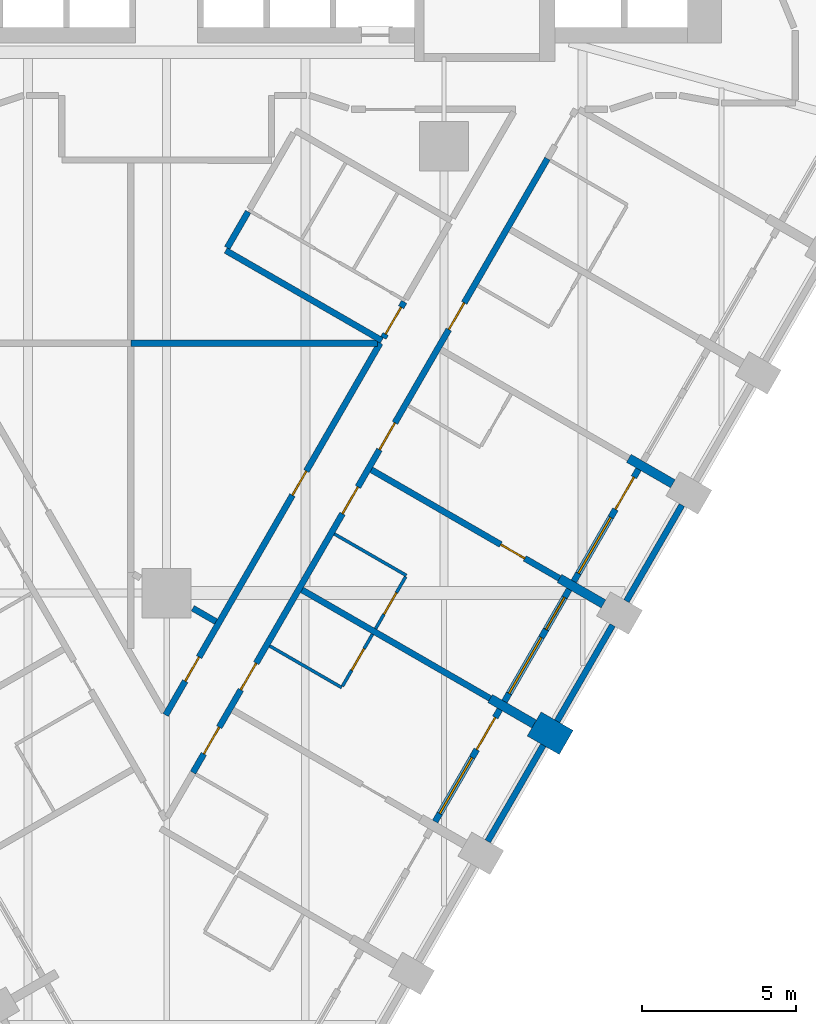
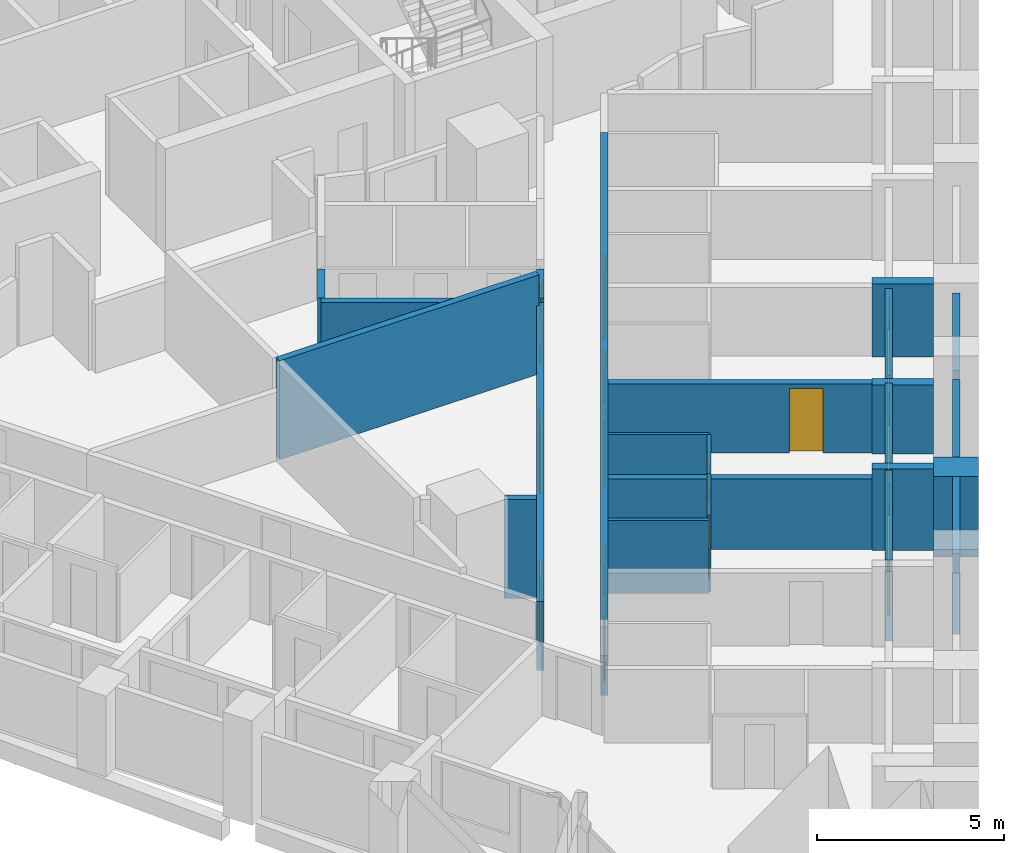
# One storey, part 5 of 12: 23 walls, 14 doors, 3 windows, 17 openings.
"""IFC4 building model written with IfcOpenShell, lengths in metres."""

from ifc_helpers import new_model, si_unit, direction, frame, frame_2d, origin, place, context, subcontext, project, spatial, rectangle, extrude, material, layer, layer_set, type_object, element, fill, save


model = new_model("IFC4")

# Units and contexts
model_context = context("Model", 3, precision=1e-05, world=origin(), true_north=direction((0.0, 1.0)))
body_context = subcontext(model_context, "Body", "Model", "MODEL_VIEW")
ifc_project = project(units=[si_unit("LENGTHUNIT", "METRE"), si_unit("AREAUNIT", "SQUARE_METRE"), si_unit("VOLUMEUNIT", "CUBIC_METRE"), si_unit("PLANEANGLEUNIT", "RADIAN"), si_unit("MASSUNIT", "GRAM", prefix="KILO")], contexts=[model_context])

# Site, building, storey
site_placement = place(None, origin())
site = spatial("IfcSite", under=ifc_project, at=site_placement, CompositionType="ELEMENT")
building_placement = place(site_placement, origin())
building = spatial("IfcBuilding", under=site, at=building_placement, Name="Calabash Gate Tower", CompositionType="ELEMENT")
storey_placement = place(building_placement, frame((0.0, 0.0, 80.0)))
storey = spatial("IfcBuildingStorey", under=building, at=storey_placement, Name="L16", CompositionType="ELEMENT", Elevation=80.0)

# Walls
ifc_material_1 = material(Name="Terracotta brick masonry, exposed face", Category="masonry")
ifc_layer_1 = layer(ifc_material_1, 1.199951171875)
ifc_layer_set_1 = layer_set([ifc_layer_1], Name="Brick end wall 1200")
wall_type_1 = type_object("IfcWallType", Name="Brick end wall 1200", PredefinedType="SOLIDWALL", material=ifc_layer_set_1)
wall_1_placement = place(storey_placement, frame((11.927978515625, -16.245361328125, 0.0), z_axis=(0.0, 0.0, 1.0), x_axis=(0.865955154139, -0.50012165622, 0.0)))
element("IfcWall", 1, at=wall_1_placement, inside=storey, type_object=wall_type_1, Name="Brick pier S04 SE2.3", PredefinedType="SOLIDWALL", context=body_context, shape_type="SweptSolid", body=[
    extrude(rectangle(XDim=1.199951171875, YDim=0.89990234375, at=frame_2d((0.60009765625, 0.0))), origin(), (0.0, 0.0, 1.0), 2.6298828125),
])
ifc_material_2 = material(Name="Terracotta brick masonry, exposed face", Category="masonry")
ifc_layer_2 = layer(ifc_material_2, 0.300048828125)
ifc_layer_set_2 = layer_set([ifc_layer_2], Name="Brick loggia cheek wall 300")
wall_type_2 = type_object("IfcWallType", Name="Brick loggia cheek wall 300", PredefinedType="SOLIDWALL", material=ifc_layer_set_2)
wall_2_placement = place(storey_placement, frame((10.4990234375, -15.42041015625, 0.0), z_axis=(0.0, 0.0, 1.0), x_axis=(0.866040211805, -0.499974350878, 0.0)))
element("IfcWall", 2, at=wall_2_placement, inside=storey, type_object=wall_type_2, Name="Loggia cheek S04 SE2.3", PredefinedType="SOLIDWALL", context=body_context, shape_type="SweptSolid", body=[
    extrude(rectangle(XDim=1.64990234375, YDim=0.300048828125, at=frame_2d((0.824951171875, 0.0))), origin(), (0.0, 0.0, 1.0), 2.64990234375),
])
wall_3_placement = place(storey_placement, frame((12.7490234375, -11.5234375, 0.0), z_axis=(0.0, 0.0, 1.0), x_axis=(0.865993292597, -0.500055614084, 0.0)))
element("IfcWall", 3, at=wall_3_placement, inside=storey, type_object=wall_type_2, Name="Loggia cheek S04 SE2.4", PredefinedType="SOLIDWALL", context=body_context, shape_type="SweptSolid", body=[
    extrude(rectangle(XDim=1.649169921875, YDim=0.300048828125, at=frame_2d((0.82470703125, 0.0))), origin(), (0.0, 0.0, 1.0), 2.24169921875),
])
wall_4_placement = place(storey_placement, frame((16.427978515625, -8.451171875, 0.0), z_axis=(0.0, 0.0, 1.0), x_axis=(-0.866040211805, 0.499974350878, 0.0)))
element("IfcWall", 4, at=wall_4_placement, inside=storey, type_object=wall_type_2, Name="Loggia cheek S04 SE2.5", PredefinedType="SOLIDWALL", context=body_context, shape_type="SweptSolid", body=[
    extrude(rectangle(XDim=1.64990234375, YDim=0.300048828125, at=frame_2d((0.824951171875, 0.0))), origin(), (0.0, 0.0, 1.0), 2.384033203125),
])

# Wall, opening, door
ifc_material_3 = material(Name="Gypsum board on steel studs, mineral wool", Category="steel")
ifc_layer_3 = layer(ifc_material_3, 0.10009765625)
ifc_layer_set_3 = layer_set([ifc_layer_3], Name="Partition 100 gypsum board")
wall_type_3 = type_object("IfcWallType", Name="Partition 100 gypsum board", PredefinedType="PARTITIONING", material=ifc_layer_set_3)
wall_5_placement = place(storey_placement, frame((5.706787109375, -15.020751953125, 0.0), z_axis=(0.0, 0.0, 1.0), x_axis=(0.49995005938, 0.866054235095, 0.0)))
wall_5 = element("IfcWall", 5, at=wall_5_placement, inside=storey, type_object=wall_type_3, Name="Partition", PredefinedType="PARTITIONING", context=body_context, shape_type="SweptSolid", body=[
    extrude(rectangle(XDim=1.949951171875, YDim=0.10009765625, at=frame_2d((0.97509765625, 0.0))), origin(), (0.0, 0.0, 1.0), 2.4736328125),
])
opening_1_placement = place(wall_5_placement, frame((0.60009765625, 0.0, 0.0)))
opening_1 = element("IfcOpeningElement", 6, at=opening_1_placement, cuts=wall_5, Name="Opening 15-17-016", PredefinedType="OPENING", context=body_context, shape_type="SweptSolid", body=[
    extrude(rectangle(XDim=0.800048828125, YDim=2.10009765625, at=frame_2d((0.39990234375, 1.050048828125))), frame((0.0, 0.06005859375, 0.0), z_axis=(0.0, -1.0, 0.0), x_axis=(1.0, 0.0, 0.0)), (0.0, 0.0, 1.0), 0.1201171875),
])
ifc_material_4 = material(Name="Painted timber door", Category="wood")
door_type_1 = type_object("IfcDoorType", Name="GD5 En-suite door 800x2100", OperationType="NOTDEFINED", PredefinedType="DOOR", material=ifc_material_4)
door_1_placement = place(opening_1_placement, origin())
door_1 = element("IfcDoor", 7, at=door_1_placement, inside=storey, type_object=door_type_1, Name="En-suite door", OperationType="SINGLE_SWING_RIGHT", OverallHeight=2.10009765625, OverallWidth=0.800048828125, PredefinedType="DOOR", context=body_context, shape_type="SweptSolid", body=[
    extrude(rectangle(XDim=0.800048828125, YDim=2.10009765625, at=frame_2d((0.39990234375, 1.050048828125))), frame((0.0, 0.02490234375, 0.0), z_axis=(0.0, -1.0, 0.0), x_axis=(1.0, 0.0, 0.0)), (0.0, 0.0, 1.0), 0.050048828125),
])
fill(opening_1, door_1)

# Wall
wall_6_placement = place(storey_placement, frame((3.344482421875, -13.712890625, 0.0), z_axis=(0.0, 0.0, 1.0), x_axis=(0.86571095196, -0.500544251447, 0.0)))
element("IfcWall", 8, at=wall_6_placement, inside=storey, type_object=wall_type_3, Name="Partition", PredefinedType="PARTITIONING", context=body_context, shape_type="SweptSolid", body=[
    extrude(rectangle(XDim=2.69970703125, YDim=0.10009765625, at=frame_2d((1.349853515625, 0.0))), origin(), (0.0, 0.0, 1.0), 2.384033203125),
])

# Wall, opening, door
wall_7_placement = place(storey_placement, frame((6.780517578125, -13.157958984375, 0.0), z_axis=(0.0, 0.0, 1.0), x_axis=(0.50063639091, 0.865657671425, 0.0)))
wall_7 = element("IfcWall", 9, at=wall_7_placement, inside=storey, type_object=wall_type_3, Name="Partition", PredefinedType="PARTITIONING", context=body_context, shape_type="SweptSolid", body=[
    extrude(rectangle(XDim=1.94970703125, YDim=0.10009765625, at=frame_2d((0.974853515625, 0.0))), origin(), (0.0, 0.0, 1.0), 2.24169921875),
])
opening_2_placement = place(wall_7_placement, frame((0.5498046875, 0.0, 0.0)))
opening_2 = element("IfcOpeningElement", 10, at=opening_2_placement, cuts=wall_7, Name="Opening 15-17-019", PredefinedType="OPENING", context=body_context, shape_type="SweptSolid", body=[
    extrude(rectangle(XDim=0.800048828125, YDim=2.10009765625, at=frame_2d((0.39990234375, 1.050048828125))), frame((0.0, 0.06005859375, 0.0), z_axis=(0.0, -1.0, 0.0), x_axis=(1.0, 0.0, 0.0)), (0.0, 0.0, 1.0), 0.1201171875),
])
door_2_placement = place(opening_2_placement, origin())
door_2 = element("IfcDoor", 11, at=door_2_placement, inside=storey, type_object=door_type_1, Name="En-suite door", OperationType="SINGLE_SWING_LEFT", OverallHeight=2.10009765625, OverallWidth=0.800048828125, PredefinedType="DOOR", context=body_context, shape_type="SweptSolid", body=[
    extrude(rectangle(XDim=0.800048828125, YDim=2.10009765625, at=frame_2d((0.39990234375, 1.050048828125))), frame((0.0, 0.02490234375, 0.0), z_axis=(0.0, -1.0, 0.0), x_axis=(1.0, 0.0, 0.0)), (0.0, 0.0, 1.0), 0.050048828125),
])
fill(opening_2, door_2)

# Wall
wall_8_placement = place(storey_placement, frame((5.44287109375, -10.078369140625, 0.0), z_axis=(0.0, 0.0, 1.0), x_axis=(0.866339109022, -0.499456252518, 0.0)))
element("IfcWall", 12, at=wall_8_placement, inside=storey, type_object=wall_type_3, Name="Partition", PredefinedType="PARTITIONING", context=body_context, shape_type="SweptSolid", body=[
    extrude(rectangle(XDim=2.69970703125, YDim=0.10009765625, at=frame_2d((1.349853515625, 0.0))), origin(), (0.0, 0.0, 1.0), 2.24169921875),
])

# Wall, openings, doors
ifc_material_5 = material(Name="Gypsum board on steel studs, mineral wool", Category="steel")
ifc_layer_4 = layer(ifc_material_5, 0.199951171875)
ifc_layer_set_4 = layer_set([ifc_layer_4], Name="Partition 200 gypsum board EI 60")
wall_type_4 = type_object("IfcWallType", Name="Partition 200 gypsum board EI 60", PredefinedType="PARTITIONING", material=ifc_layer_set_4)
wall_9_placement = place(storey_placement, frame((-0.02880859375, -15.95458984375, 0.0), z_axis=(0.0, 0.0, 1.0), x_axis=(0.499541892375, 0.866289730842, 0.0)))
wall_9 = element("IfcWall", 13, at=wall_9_placement, inside=storey, type_object=wall_type_4, Name="Partition", PredefinedType="PARTITIONING", context=body_context, shape_type="SweptSolid", body=[
    extrude(rectangle(XDim=13.93017578125, YDim=0.199951171875, at=frame_2d((6.965087890625, 0.0))), origin(), (0.0, 0.0, 1.0), 2.24169921875),
])
opening_3_placement = place(wall_9_placement, frame((1.26953125, 0.0, 0.0)))
opening_3 = element("IfcOpeningElement", 14, at=opening_3_placement, cuts=wall_9, Name="Opening 15-17-029", PredefinedType="OPENING", context=body_context, shape_type="SweptSolid", body=[
    extrude(rectangle(XDim=0.89990234375, YDim=2.10009765625, at=frame_2d((0.449951171875, 1.050048828125))), frame((0.0, 0.10986328125, 0.0), z_axis=(0.0, -1.0, 0.0), x_axis=(1.0, 0.0, 0.0)), (0.0, 0.0, 1.0), 0.219970703125),
])
opening_4_placement = place(wall_9_placement, frame((8.23486328125, 0.0, 0.0)))
opening_4 = element("IfcOpeningElement", 15, at=opening_4_placement, cuts=wall_9, Name="Opening 15-17-030", PredefinedType="OPENING", context=body_context, shape_type="SweptSolid", body=[
    extrude(rectangle(XDim=0.89990234375, YDim=2.10009765625, at=frame_2d((0.449951171875, 1.050048828125))), frame((0.0, 0.10986328125, 0.0), z_axis=(0.0, -1.0, 0.0), x_axis=(1.0, 0.0, 0.0)), (0.0, 0.0, 1.0), 0.219970703125),
])
ifc_material_6 = material(Name="Steel fire door set with fire-resisting glazing", Category="steel")
door_type_2 = type_object("IfcDoorType", Name="SD3 Store door 900x2100", OperationType="NOTDEFINED", PredefinedType="DOOR", material=ifc_material_6)
door_3_placement = place(opening_3_placement, origin())
door_3 = element("IfcDoor", 16, at=door_3_placement, inside=storey, type_object=door_type_2, Name="Store door", OperationType="SINGLE_SWING_LEFT", OverallHeight=2.10009765625, OverallWidth=0.89990234375, PredefinedType="DOOR", context=body_context, shape_type="SweptSolid", body=[
    extrude(rectangle(XDim=0.89990234375, YDim=2.10009765625, at=frame_2d((0.449951171875, 1.050048828125))), frame((0.0, 0.02490234375, 0.0), z_axis=(0.0, -1.0, 0.0), x_axis=(1.0, 0.0, 0.0)), (0.0, 0.0, 1.0), 0.050048828125),
])
fill(opening_3, door_3)
door_4_placement = place(opening_4_placement, origin())
door_4 = element("IfcDoor", 17, at=door_4_placement, inside=storey, type_object=door_type_2, Name="Store door", OperationType="SINGLE_SWING_RIGHT", OverallHeight=2.10009765625, OverallWidth=0.89990234375, PredefinedType="DOOR", context=body_context, shape_type="SweptSolid", body=[
    extrude(rectangle(XDim=0.89990234375, YDim=2.10009765625, at=frame_2d((0.449951171875, 1.050048828125))), frame((0.0, 0.02490234375, 0.0), z_axis=(0.0, -1.0, 0.0), x_axis=(1.0, 0.0, 0.0)), (0.0, 0.0, 1.0), 0.050048828125),
])
fill(opening_4, door_4)

# Walls
wall_10_placement = place(storey_placement, frame((0.85009765625, -12.490478515625, 0.0), z_axis=(0.0, 0.0, 1.0), x_axis=(0.866960927484, -0.498376113207, 0.0)))
element("IfcWall", 18, at=wall_10_placement, inside=storey, type_object=wall_type_4, Name="Partition", PredefinedType="PARTITIONING", context=body_context, shape_type="SweptSolid", body=[
    extrude(rectangle(XDim=0.869140625, YDim=0.199951171875, at=frame_2d((0.4345703125, 0.0))), origin(), (0.0, 0.0, 1.0), 3.22998046875),
])
wall_11_placement = place(storey_placement, frame((4.39453125, -11.893798828125, 0.0), z_axis=(0.0, 0.0, 1.0), x_axis=(0.866031034943, -0.499990246421, 0.0)))
element("IfcWall", 19, at=wall_11_placement, inside=storey, type_object=wall_type_4, Name="Partition", PredefinedType="PARTITIONING", context=body_context, shape_type="SweptSolid", body=[
    extrude(rectangle(XDim=7.050048828125, YDim=0.199951171875, at=frame_2d((3.52490234375, 0.0))), origin(), (0.0, 0.0, 1.0), 2.302490234375),
])

# Wall, opening, door
wall_12_placement = place(storey_placement, frame((6.64453125, -7.99658203125, 0.0), z_axis=(0.0, 0.0, 1.0), x_axis=(0.865891406831, -0.500232017744, 0.0)))
wall_12 = element("IfcWall", 20, at=wall_12_placement, inside=storey, type_object=wall_type_4, Name="Partition", PredefinedType="PARTITIONING", context=body_context, shape_type="SweptSolid", body=[
    extrude(rectangle(XDim=7.050048828125, YDim=0.199951171875, at=frame_2d((3.52490234375, 0.0))), origin(), (0.0, 0.0, 1.0), 2.24169921875),
])
opening_5_placement = place(wall_12_placement, frame((4.849853515625, 0.0, 0.0)))
opening_5 = element("IfcOpeningElement", 21, at=opening_5_placement, cuts=wall_12, Name="Opening 15-17-022", PredefinedType="OPENING", context=body_context, shape_type="SweptSolid", body=[
    extrude(rectangle(XDim=0.89990234375, YDim=2.10009765625, at=frame_2d((0.449951171875, 1.050048828125))), frame((0.0, 0.10986328125, 0.0), z_axis=(0.0, -1.0, 0.0), x_axis=(1.0, 0.0, 0.0)), (0.0, 0.0, 1.0), 0.219970703125),
])
ifc_material_7 = material(Name="Steel fire door set with fire-resisting glazing", Category="steel")
door_type_3 = type_object("IfcDoorType", Name="GD4 Connecting door 900x2100", OperationType="NOTDEFINED", PredefinedType="DOOR", material=ifc_material_7)
door_5_placement = place(opening_5_placement, origin())
door_5 = element("IfcDoor", 22, at=door_5_placement, inside=storey, type_object=door_type_3, Name="Connecting door", OperationType="SINGLE_SWING_RIGHT", OverallHeight=2.10009765625, OverallWidth=0.89990234375, PredefinedType="DOOR", context=body_context, shape_type="SweptSolid", body=[
    extrude(rectangle(XDim=0.89990234375, YDim=2.10009765625, at=frame_2d((0.449951171875, 1.050048828125))), frame((0.0, 0.02490234375, 0.0), z_axis=(0.0, -1.0, 0.0), x_axis=(1.0, 0.0, 0.0)), (0.0, 0.0, 1.0), 0.050048828125),
])
fill(opening_5, door_5)

# Wall
wall_13_placement = place(storey_placement, frame((-1.16162109375, -3.892578125, 0.0), z_axis=(0.0, 0.0, 1.0), x_axis=(0.999999970181, 0.000244207691, 0.0)))
element("IfcWall", 23, at=wall_13_placement, inside=storey, type_object=wall_type_4, Name="Partition", PredefinedType="PARTITIONING", context=body_context, shape_type="SweptSolid", body=[
    extrude(rectangle(XDim=7.997802734375, YDim=0.199951171875, at=frame_2d((3.9990234375, 0.0))), origin(), (0.0, 0.0, 1.0), 3.22998046875),
])

# Wall, opening, door
wall_14_placement = place(storey_placement, frame((7.03466796875, -3.716796875, 0.0), z_axis=(0.0, 0.0, 1.0), x_axis=(0.50106482324, 0.865409754342, 0.0)))
wall_14 = element("IfcWall", 24, at=wall_14_placement, inside=storey, type_object=wall_type_4, Name="Partition", PredefinedType="PARTITIONING", context=body_context, shape_type="SweptSolid", body=[
    extrude(rectangle(XDim=1.34814453125, YDim=0.199951171875, at=frame_2d((0.674072265625, 0.0))), origin(), (0.0, 0.0, 1.0), 2.24169921875),
])
opening_6_placement = place(wall_14_placement, frame((0.148193359375, 0.0, 0.0)))
opening_6 = element("IfcOpeningElement", 25, at=opening_6_placement, cuts=wall_14, Name="Opening 15-17-032", PredefinedType="OPENING", context=body_context, shape_type="SweptSolid", body=[
    extrude(rectangle(XDim=1.0, YDim=2.10009765625, at=frame_2d((0.5, 1.050048828125))), frame((0.0, 0.10986328125, 0.0), z_axis=(0.0, -1.0, 0.0), x_axis=(1.0, 0.0, 0.0)), (0.0, 0.0, 1.0), 0.219970703125),
])
ifc_material_8 = material(Name="Steel fire door set with fire-resisting glazing", Category="steel")
door_type_4 = type_object("IfcDoorType", Name="WD3 WC lobby door 1000x2100", OperationType="NOTDEFINED", PredefinedType="DOOR", material=ifc_material_8)
door_6_placement = place(opening_6_placement, origin())
door_6 = element("IfcDoor", 26, at=door_6_placement, inside=storey, type_object=door_type_4, Name="WC lobby door", OperationType="SINGLE_SWING_LEFT", OverallHeight=2.10009765625, OverallWidth=1.0, PredefinedType="DOOR", context=body_context, shape_type="SweptSolid", body=[
    extrude(rectangle(XDim=1.0, YDim=2.10009765625, at=frame_2d((0.5, 1.050048828125))), frame((0.0, 0.02490234375, 0.0), z_axis=(0.0, -1.0, 0.0), x_axis=(1.0, 0.0, 0.0)), (0.0, 0.0, 1.0), 0.050048828125),
])
fill(opening_6, door_6)

# Walls
wall_15_placement = place(storey_placement, frame((1.919189453125, -0.880859375, 0.0), z_axis=(0.0, 0.0, 1.0), x_axis=(0.866167515178, -0.499753775024, 0.0)))
element("IfcWall", 27, at=wall_15_placement, inside=storey, type_object=wall_type_4, Name="Partition", PredefinedType="PARTITIONING", context=body_context, shape_type="SweptSolid", body=[
    extrude(rectangle(XDim=5.84814453125, YDim=0.199951171875, at=frame_2d((2.924072265625, 0.0))), origin(), (0.0, 0.0, 1.0), 2.24169921875),
])
wall_16_placement = place(storey_placement, frame((1.969482421875, -0.794189453125, 0.0), z_axis=(0.0, 0.0, 1.0), x_axis=(0.501000622125, 0.865446923058, 0.0)))
element("IfcWall", 28, at=wall_16_placement, inside=storey, type_object=wall_type_4, Name="Partition", PredefinedType="PARTITIONING", context=body_context, shape_type="SweptSolid", body=[
    extrude(rectangle(XDim=1.349853515625, YDim=0.199951171875, at=frame_2d((0.6748046875, 0.0))), origin(), (0.0, 0.0, 1.0), 2.24169921875),
])

# Wall, openings, doors
wall_17_placement = place(storey_placement, frame((0.858642578125, -17.82177734375, 0.0), z_axis=(0.0, 0.0, 1.0), x_axis=(0.500002395808, 0.866024020559, 0.0)))
wall_17 = element("IfcWall", 29, at=wall_17_placement, inside=storey, type_object=wall_type_4, Name="Partition", PredefinedType="PARTITIONING", context=body_context, shape_type="SweptSolid", body=[
    extrude(rectangle(XDim=23.0, YDim=0.199951171875, at=frame_2d((11.5, 0.0))), origin(), (0.0, 0.0, 1.0), 2.24169921875),
])
opening_7_placement = place(wall_17_placement, frame((0.69970703125, 0.0, 0.0)))
opening_7 = element("IfcOpeningElement", 30, at=opening_7_placement, cuts=wall_17, Name="Opening 15-17-013", PredefinedType="OPENING", context=body_context, shape_type="SweptSolid", body=[
    extrude(rectangle(XDim=1.0, YDim=2.10009765625, at=frame_2d((0.5, 1.050048828125))), frame((0.0, 0.10986328125, 0.0), z_axis=(0.0, -1.0, 0.0), x_axis=(1.0, 0.0, 0.0)), (0.0, 0.0, 1.0), 0.219970703125),
])
opening_8_placement = place(wall_17_placement, frame((3.099853515625, 0.0, 0.0)))
opening_8 = element("IfcOpeningElement", 31, at=opening_8_placement, cuts=wall_17, Name="Opening 15-17-015", PredefinedType="OPENING", context=body_context, shape_type="SweptSolid", body=[
    extrude(rectangle(XDim=1.0, YDim=2.10009765625, at=frame_2d((0.5, 1.050048828125))), frame((0.0, 0.10986328125, 0.0), z_axis=(0.0, -1.0, 0.0), x_axis=(1.0, 0.0, 0.0)), (0.0, 0.0, 1.0), 0.219970703125),
])
opening_9_placement = place(wall_17_placement, frame((9.69970703125, 0.0, 0.0)))
opening_9 = element("IfcOpeningElement", 32, at=opening_9_placement, cuts=wall_17, Name="Opening 15-17-018", PredefinedType="OPENING", context=body_context, shape_type="SweptSolid", body=[
    extrude(rectangle(XDim=1.0, YDim=2.10009765625, at=frame_2d((0.5, 1.050048828125))), frame((0.0, 0.10986328125, 0.0), z_axis=(0.0, -1.0, 0.0), x_axis=(1.0, 0.0, 0.0)), (0.0, 0.0, 1.0), 0.219970703125),
])
opening_10_placement = place(wall_17_placement, frame((12.099609375, 0.0, 0.0)))
opening_10 = element("IfcOpeningElement", 33, at=opening_10_placement, cuts=wall_17, Name="Opening 15-17-020", PredefinedType="OPENING", context=body_context, shape_type="SweptSolid", body=[
    extrude(rectangle(XDim=1.0, YDim=2.10009765625, at=frame_2d((0.5, 1.050048828125))), frame((0.0, 0.10986328125, 0.0), z_axis=(0.0, -1.0, 0.0), x_axis=(1.0, 0.0, 0.0)), (0.0, 0.0, 1.0), 0.219970703125),
])
opening_11_placement = place(wall_17_placement, frame((16.599609375, 0.0, 0.0)))
opening_11 = element("IfcOpeningElement", 34, at=opening_11_placement, cuts=wall_17, Name="Opening 15-17-023", PredefinedType="OPENING", context=body_context, shape_type="SweptSolid", body=[
    extrude(rectangle(XDim=1.0, YDim=2.10009765625, at=frame_2d((0.5, 1.050048828125))), frame((0.0, 0.10986328125, 0.0), z_axis=(0.0, -1.0, 0.0), x_axis=(1.0, 0.0, 0.0)), (0.0, 0.0, 1.0), 0.219970703125),
])
ifc_material_9 = material(Name="Steel fire door set with fire-resisting glazing", Category="steel")
door_type_5 = type_object("IfcDoorType", Name="GD1 Guest room entrance door 1000x2100", OperationType="NOTDEFINED", PredefinedType="DOOR", material=ifc_material_9)
door_7_placement = place(opening_7_placement, origin())
door_7 = element("IfcDoor", 35, at=door_7_placement, inside=storey, type_object=door_type_5, Name="Guest room entrance door", OperationType="SINGLE_SWING_LEFT", OverallHeight=2.10009765625, OverallWidth=1.0, PredefinedType="DOOR", context=body_context, shape_type="SweptSolid", body=[
    extrude(rectangle(XDim=1.0, YDim=2.10009765625, at=frame_2d((0.5, 1.050048828125))), frame((0.0, 0.02490234375, 0.0), z_axis=(0.0, -1.0, 0.0), x_axis=(1.0, 0.0, 0.0)), (0.0, 0.0, 1.0), 0.050048828125),
])
fill(opening_7, door_7)
door_8_placement = place(opening_8_placement, origin())
door_8 = element("IfcDoor", 36, at=door_8_placement, inside=storey, type_object=door_type_5, Name="Guest room entrance door", OperationType="SINGLE_SWING_RIGHT", OverallHeight=2.10009765625, OverallWidth=1.0, PredefinedType="DOOR", context=body_context, shape_type="SweptSolid", body=[
    extrude(rectangle(XDim=1.0, YDim=2.10009765625, at=frame_2d((0.5, 1.050048828125))), frame((0.0, 0.02490234375, 0.0), z_axis=(0.0, -1.0, 0.0), x_axis=(1.0, 0.0, 0.0)), (0.0, 0.0, 1.0), 0.050048828125),
])
fill(opening_8, door_8)
door_9_placement = place(opening_9_placement, origin())
door_9 = element("IfcDoor", 37, at=door_9_placement, inside=storey, type_object=door_type_5, Name="Guest room entrance door", OperationType="SINGLE_SWING_LEFT", OverallHeight=2.10009765625, OverallWidth=1.0, PredefinedType="DOOR", context=body_context, shape_type="SweptSolid", body=[
    extrude(rectangle(XDim=1.0, YDim=2.10009765625, at=frame_2d((0.5, 1.050048828125))), frame((0.0, 0.02490234375, 0.0), z_axis=(0.0, -1.0, 0.0), x_axis=(1.0, 0.0, 0.0)), (0.0, 0.0, 1.0), 0.050048828125),
])
fill(opening_9, door_9)
door_10_placement = place(opening_10_placement, origin())
door_10 = element("IfcDoor", 38, at=door_10_placement, inside=storey, type_object=door_type_5, Name="Guest room entrance door", OperationType="SINGLE_SWING_RIGHT", OverallHeight=2.10009765625, OverallWidth=1.0, PredefinedType="DOOR", context=body_context, shape_type="SweptSolid", body=[
    extrude(rectangle(XDim=1.0, YDim=2.10009765625, at=frame_2d((0.5, 1.050048828125))), frame((0.0, 0.02490234375, 0.0), z_axis=(0.0, -1.0, 0.0), x_axis=(1.0, 0.0, 0.0)), (0.0, 0.0, 1.0), 0.050048828125),
])
fill(opening_10, door_10)
door_11_placement = place(opening_11_placement, origin())
door_11 = element("IfcDoor", 39, at=door_11_placement, inside=storey, type_object=door_type_5, Name="Guest room entrance door", OperationType="SINGLE_SWING_RIGHT", OverallHeight=2.10009765625, OverallWidth=1.0, PredefinedType="DOOR", context=body_context, shape_type="SweptSolid", body=[
    extrude(rectangle(XDim=1.0, YDim=2.10009765625, at=frame_2d((0.5, 1.050048828125))), frame((0.0, 0.02490234375, 0.0), z_axis=(0.0, -1.0, 0.0), x_axis=(1.0, 0.0, 0.0)), (0.0, 0.0, 1.0), 0.050048828125),
])
fill(opening_11, door_11)

# Walls
ifc_material_10 = material(Name="Terracotta brick masonry, perforated", Category="masonry")
ifc_layer_5 = layer(ifc_material_10, 0.199951171875)
ifc_layer_set_5 = layer_set([ifc_layer_5], Name="Terracotta jaali screen B")
wall_type_5 = type_object("IfcWallType", Name="Terracotta jaali screen B", PredefinedType="SOLIDWALL", material=ifc_layer_set_5)
for number, where, z_axis, x_axis, name in (
    (40, (10.42236328125, -20.052734375, 0.0), (0.0, 0.0, 1.0), (0.500012057535, 0.866018442252, 0.0), "SCREEN B S04 SE2.3"),
    (41, (12.67236328125, -16.15576171875, 0.0), (0.0, 0.0, 1.0), (0.500012057535, 0.866018442252, 0.0), "SCREEN B S04 SE2.4"),
):
    element("IfcWall", number, at=place(storey_placement, frame(where, z_axis=z_axis, x_axis=x_axis)), inside=storey, type_object=wall_type_5, Name=name, PredefinedType="SOLIDWALL", context=body_context, shape_type="SweptSolid", body=[
        extrude(rectangle(XDim=3.60009765625, YDim=0.199951171875, at=frame_2d((1.800048828125, 0.0))), origin(), (0.0, 0.0, 1.0), 2.6298828125),
    ])
wall_18_placement = place(storey_placement, frame((14.92236328125, -12.258544921875, 0.0), z_axis=(0.0, 0.0, 1.0), x_axis=(0.500012057535, 0.866018442252, 0.0)))
element("IfcWall", 42, at=wall_18_placement, inside=storey, type_object=wall_type_5, Name="SCREEN B S04 SE2.5", PredefinedType="SOLIDWALL", context=body_context, shape_type="SweptSolid", body=[
    extrude(rectangle(XDim=3.60009765625, YDim=0.199951171875, at=frame_2d((1.800048828125, 0.0))), origin(), (0.0, 0.0, 1.0), 2.302490234375),
])

# Wall, openings, door, window
ifc_material_11 = material(Name="Aluminium framed window wall with insulated spandrel", Category="aluminium")
ifc_layer_6 = layer(ifc_material_11, 0.199951171875)
ifc_layer_set_6 = layer_set([ifc_layer_6], Name="Window wall 200")
wall_type_6 = type_object("IfcWallType", Name="Window wall 200", PredefinedType="ELEMENTEDWALL", material=ifc_layer_set_6)
wall_19_placement = place(storey_placement, frame((8.713623046875, -19.41259765625, 0.0), z_axis=(0.0, 0.0, 1.0), x_axis=(0.500027713859, 0.866009402589, 0.0)))
wall_19 = element("IfcWall", 43, at=wall_19_placement, inside=storey, type_object=wall_type_6, Name="Window wall S04 SE2.3", PredefinedType="ELEMENTEDWALL", context=body_context, shape_type="SweptSolid", body=[
    extrude(rectangle(XDim=4.199951171875, YDim=0.199951171875, at=frame_2d((2.10009765625, 0.0))), origin(), (0.0, 0.0, 1.0), 2.6279296875),
])
opening_12_placement = place(wall_19_placement, frame((0.300048828125, 0.0, 0.60009765625)))
opening_12 = element("IfcOpeningElement", 44, at=opening_12_placement, cuts=wall_19, Name="Opening HW1", PredefinedType="OPENING", context=body_context, shape_type="SweptSolid", body=[
    extrude(rectangle(XDim=2.10009765625, YDim=1.800048828125, at=frame_2d((1.050048828125, 0.89990234375))), frame((0.0, 0.10986328125, 0.0), z_axis=(0.0, -1.0, 0.0), x_axis=(1.0, 0.0, 0.0)), (0.0, 0.0, 1.0), 0.219970703125),
])
opening_13_placement = place(wall_19_placement, frame((2.699951171875, 0.0, 0.0)))
opening_13 = element("IfcOpeningElement", 45, at=opening_13_placement, cuts=wall_19, Name="Opening H4-020", PredefinedType="OPENING", context=body_context, shape_type="SweptSolid", body=[
    extrude(rectangle(XDim=1.199951171875, YDim=2.39990234375, at=frame_2d((0.60009765625, 1.199951171875))), frame((0.0, 0.10986328125, 0.0), z_axis=(0.0, -1.0, 0.0), x_axis=(1.0, 0.0, 0.0)), (0.0, 0.0, 1.0), 0.219970703125),
])
ifc_material_12 = material(Name="Anodised aluminium frame, bronze finish, impact-rated laminated clear glazing", Category="aluminium")
door_type_6 = type_object("IfcDoorType", Name="Loggia door DH1 1200x2400", OperationType="SLIDING_TO_LEFT", PredefinedType="DOOR", material=ifc_material_12)
door_12_placement = place(opening_13_placement, origin())
door_12 = element("IfcDoor", 46, at=door_12_placement, inside=storey, type_object=door_type_6, Name="Loggia door S04 SE2.3", OperationType="SINGLE_SWING_LEFT", OverallHeight=2.39990234375, OverallWidth=1.199951171875, PredefinedType="DOOR", context=body_context, shape_type="SweptSolid", body=[
    extrude(rectangle(XDim=1.199951171875, YDim=2.39990234375, at=frame_2d((0.60009765625, 1.199951171875))), frame((0.0, 0.02490234375, 0.0), z_axis=(0.0, -1.0, 0.0), x_axis=(1.0, 0.0, 0.0)), (0.0, 0.0, 1.0), 0.050048828125),
])
fill(opening_13, door_12)
ifc_material_13 = material(Name="Anodised aluminium frame, bronze finish, impact-rated laminated clear glazing", Category="aluminium")
window_type_1 = type_object("IfcWindowType", Name="Window HW1 2100x1800", PartitioningType="DOUBLE_PANEL_VERTICAL", PredefinedType="WINDOW", material=ifc_material_13)
window_1_placement = place(opening_12_placement, origin())
window_1 = element("IfcWindow", 47, at=window_1_placement, inside=storey, type_object=window_type_1, Name="Window HW1 S04 SE2.3", OverallHeight=1.800048828125, OverallWidth=2.10009765625, PartitioningType="SINGLE_PANEL", PredefinedType="WINDOW", context=body_context, shape_type="SweptSolid", body=[
    extrude(rectangle(XDim=2.10009765625, YDim=1.800048828125, at=frame_2d((1.050048828125, 0.89990234375))), frame((0.0, 0.030029296875, 0.0), z_axis=(0.0, -1.0, 0.0), x_axis=(1.0, 0.0, 0.0)), (0.0, 0.0, 1.0), 0.06005859375),
])
fill(opening_12, window_1)

wall_20_placement = place(storey_placement, frame((10.963623046875, -15.515625, 0.0), z_axis=(0.0, 0.0, 1.0), x_axis=(0.500002543286, 0.866023935413, 0.0)))
wall_20 = element("IfcWall", 48, at=wall_20_placement, inside=storey, type_object=wall_type_6, Name="Window wall S04 SE2.4", PredefinedType="ELEMENTEDWALL", context=body_context, shape_type="SweptSolid", body=[
    extrude(rectangle(XDim=4.2001953125, YDim=0.199951171875, at=frame_2d((2.10009765625, 0.0))), origin(), (0.0, 0.0, 1.0), 2.302490234375),
])
opening_14_placement = place(wall_20_placement, frame((0.300048828125, 0.0, 0.60009765625)))
opening_14 = element("IfcOpeningElement", 49, at=opening_14_placement, cuts=wall_20, Name="Opening HW1L-1600", PredefinedType="OPENING", context=body_context, shape_type="SweptSolid", body=[
    extrude(rectangle(XDim=2.10009765625, YDim=1.60009765625, at=frame_2d((1.050048828125, 0.800048828125))), frame((0.0, 0.10986328125, 0.0), z_axis=(0.0, -1.0, 0.0), x_axis=(1.0, 0.0, 0.0)), (0.0, 0.0, 1.0), 0.219970703125),
])
opening_15_placement = place(wall_20_placement, frame((2.699951171875, 0.0, 0.0)))
opening_15 = element("IfcOpeningElement", 50, at=opening_15_placement, cuts=wall_20, Name="Opening H4-021", PredefinedType="OPENING", context=body_context, shape_type="SweptSolid", body=[
    extrude(rectangle(XDim=1.199951171875, YDim=2.199951171875, at=frame_2d((0.60009765625, 1.10009765625))), frame((0.0, 0.10986328125, 0.0), z_axis=(0.0, -1.0, 0.0), x_axis=(1.0, 0.0, 0.0)), (0.0, 0.0, 1.0), 0.219970703125),
])
ifc_material_14 = material(Name="Anodised aluminium frame, bronze finish, impact-rated laminated clear glazing", Category="aluminium")
door_type_7 = type_object("IfcDoorType", Name="Loggia door DH1L-2200 1200x2200", OperationType="SLIDING_TO_LEFT", PredefinedType="DOOR", material=ifc_material_14)
door_13_placement = place(opening_15_placement, origin())
door_13 = element("IfcDoor", 51, at=door_13_placement, inside=storey, type_object=door_type_7, Name="Loggia door S04 SE2.4", OperationType="SINGLE_SWING_LEFT", OverallHeight=2.199951171875, OverallWidth=1.199951171875, PredefinedType="DOOR", context=body_context, shape_type="SweptSolid", body=[
    extrude(rectangle(XDim=1.199951171875, YDim=2.199951171875, at=frame_2d((0.60009765625, 1.10009765625))), frame((0.0, 0.02490234375, 0.0), z_axis=(0.0, -1.0, 0.0), x_axis=(1.0, 0.0, 0.0)), (0.0, 0.0, 1.0), 0.050048828125),
])
fill(opening_15, door_13)
ifc_material_15 = material(Name="Anodised aluminium frame, bronze finish, impact-rated laminated clear glazing", Category="aluminium")
window_type_2 = type_object("IfcWindowType", Name="Window HW1L 2100x1600", PartitioningType="DOUBLE_PANEL_VERTICAL", PredefinedType="WINDOW", material=ifc_material_15)
window_2_placement = place(opening_14_placement, origin())
window_2 = element("IfcWindow", 52, at=window_2_placement, inside=storey, type_object=window_type_2, Name="Window HW1 S04 SE2.4", OverallHeight=1.60009765625, OverallWidth=2.10009765625, PartitioningType="SINGLE_PANEL", PredefinedType="WINDOW", context=body_context, shape_type="SweptSolid", body=[
    extrude(rectangle(XDim=2.10009765625, YDim=1.60009765625, at=frame_2d((1.050048828125, 0.800048828125))), frame((0.0, 0.030029296875, 0.0), z_axis=(0.0, -1.0, 0.0), x_axis=(1.0, 0.0, 0.0)), (0.0, 0.0, 1.0), 0.06005859375),
])
fill(opening_14, window_2)

wall_21_placement = place(storey_placement, frame((13.213623046875, -11.618408203125, 0.0), z_axis=(0.0, 0.0, 1.0), x_axis=(0.500027713859, 0.866009402589, 0.0)))
wall_21 = element("IfcWall", 53, at=wall_21_placement, inside=storey, type_object=wall_type_6, Name="Window wall S04 SE2.5", PredefinedType="ELEMENTEDWALL", context=body_context, shape_type="SweptSolid", body=[
    extrude(rectangle(XDim=4.199951171875, YDim=0.199951171875, at=frame_2d((2.10009765625, 0.0))), origin(), (0.0, 0.0, 1.0), 2.24169921875),
])
opening_16_placement = place(wall_21_placement, frame((0.300048828125, 0.0, 0.60009765625)))
opening_16 = element("IfcOpeningElement", 54, at=opening_16_placement, cuts=wall_21, Name="Opening HW1L-1540", PredefinedType="OPENING", context=body_context, shape_type="SweptSolid", body=[
    extrude(rectangle(XDim=2.10009765625, YDim=1.5400390625, at=frame_2d((1.050048828125, 0.77001953125))), frame((0.0, 0.10986328125, 0.0), z_axis=(0.0, -1.0, 0.0), x_axis=(1.0, 0.0, 0.0)), (0.0, 0.0, 1.0), 0.219970703125),
])
opening_17_placement = place(wall_21_placement, frame((2.699951171875, 0.0, 0.0)))
opening_17 = element("IfcOpeningElement", 55, at=opening_17_placement, cuts=wall_21, Name="Opening H4-022", PredefinedType="OPENING", context=body_context, shape_type="SweptSolid", body=[
    extrude(rectangle(XDim=1.199951171875, YDim=2.139892578125, at=frame_2d((0.60009765625, 1.06982421875))), frame((0.0, 0.10986328125, 0.0), z_axis=(0.0, -1.0, 0.0), x_axis=(1.0, 0.0, 0.0)), (0.0, 0.0, 1.0), 0.219970703125),
])
ifc_material_16 = material(Name="Anodised aluminium frame, bronze finish, impact-rated laminated clear glazing", Category="aluminium")
door_type_8 = type_object("IfcDoorType", Name="Loggia door DH1L-2140 1200x2140", OperationType="SLIDING_TO_LEFT", PredefinedType="DOOR", material=ifc_material_16)
door_14_placement = place(opening_17_placement, origin())
door_14 = element("IfcDoor", 56, at=door_14_placement, inside=storey, type_object=door_type_8, Name="Loggia door S04 SE2.5", OperationType="SINGLE_SWING_LEFT", OverallHeight=2.139892578125, OverallWidth=1.199951171875, PredefinedType="DOOR", context=body_context, shape_type="SweptSolid", body=[
    extrude(rectangle(XDim=1.199951171875, YDim=2.139892578125, at=frame_2d((0.60009765625, 1.06982421875))), frame((0.0, 0.02490234375, 0.0), z_axis=(0.0, -1.0, 0.0), x_axis=(1.0, 0.0, 0.0)), (0.0, 0.0, 1.0), 0.050048828125),
])
fill(opening_17, door_14)
ifc_material_17 = material(Name="Anodised aluminium frame, bronze finish, impact-rated laminated clear glazing", Category="aluminium")
window_type_3 = type_object("IfcWindowType", Name="Window HW1L 2100x1540", PartitioningType="DOUBLE_PANEL_VERTICAL", PredefinedType="WINDOW", material=ifc_material_17)
window_3_placement = place(opening_16_placement, origin())
window_3 = element("IfcWindow", 57, at=window_3_placement, inside=storey, type_object=window_type_3, Name="Window HW1 S04 SE2.5", OverallHeight=1.5400390625, OverallWidth=2.10009765625, PartitioningType="SINGLE_PANEL", PredefinedType="WINDOW", context=body_context, shape_type="SweptSolid", body=[
    extrude(rectangle(XDim=2.10009765625, YDim=1.5400390625, at=frame_2d((1.050048828125, 0.77001953125))), frame((0.0, 0.030029296875, 0.0), z_axis=(0.0, -1.0, 0.0), x_axis=(1.0, 0.0, 0.0)), (0.0, 0.0, 1.0), 0.06005859375),
])
fill(opening_16, window_3)

save(model, "model.ifc")
